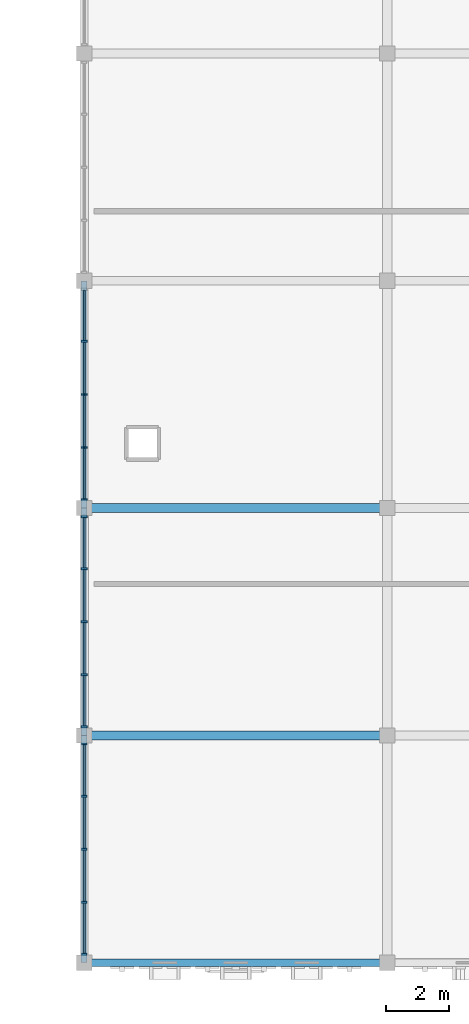
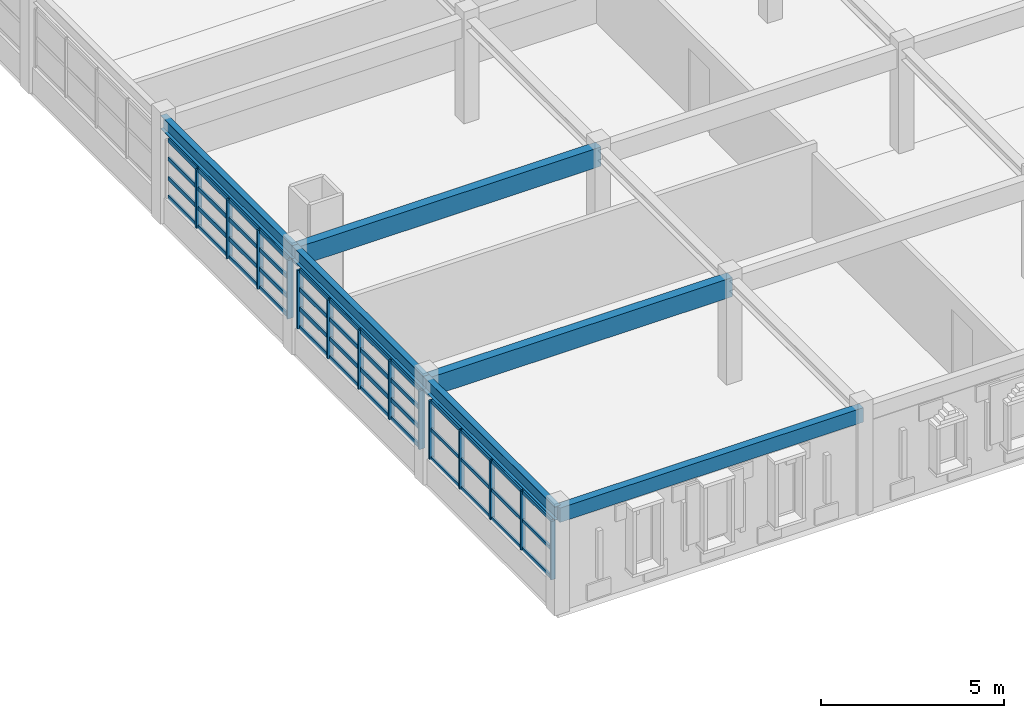
# One storey, part 4 of 53: 58 members, 6 beams, 3 elements without a shape of their own.
"""IFC4 building model written with IfcOpenShell, lengths in metres."""

import ifcopenshell
import ifcopenshell.guid

model = None  # the IFC model being written
_history = None  # IfcOwnerHistory: only IFC2X3 demands one
_inside = {}  # id of a spatial element -> (the spatial element, [elements in it])
_under = {}  # id of a project, library or spatial element -> (it, [spatial elements below it])
_declared = {}  # id of a project -> (the project, [libraries it declares])
_typed = {}  # id of a type object -> (the type object, [elements of that type])
_made_of = {}  # id of a material, layer set ... -> (it, [elements and type objects made of it])


def new_model(schema):
    """Start an empty IFC model of exactly this schema.

    Asked for "IFC4X3", IfcOpenShell would pick the latest addendum, in which some entities
    have other attributes; the version numbers below select the first issue.
    IFC2X3 requires an IfcOwnerHistory on every rooted entity: one is made here for all.
    """
    global model, _history
    if schema == "IFC4X3":
        model = ifcopenshell.file(schema_version=(4, 3, 0, 0))
    else:
        model = ifcopenshell.file(schema=schema)
    _inside.clear()
    _under.clear()
    _declared.clear()
    _typed.clear()
    _made_of.clear()
    _history = None
    if model.schema == "IFC2X3":
        org = make("IfcOrganization", Name="unknown")
        user = make(
            "IfcPersonAndOrganization",
            ThePerson=make("IfcPerson", FamilyName="unknown"),
            TheOrganization=org,
        )
        app = make(
            "IfcApplication",
            ApplicationDeveloper=org,
            Version="unknown",
            ApplicationFullName="unknown",
            ApplicationIdentifier="unknown",
        )
        _history = make(
            "IfcOwnerHistory",
            OwningUser=user,
            OwningApplication=app,
            ChangeAction="ADDED",
            CreationDate=0,
        )
    return model


def make(cls, **values):
    """One entity of the class cls with the attributes given. An attribute that is None is left unset."""
    return model.create_entity(
        cls, **{name: value for name, value in values.items() if value is not None}
    )


def rooted(cls, **values):
    """An entity with a GlobalId (a new one), such as an element, a storey or a relation."""
    return make(cls, GlobalId=ifcopenshell.guid.new(), OwnerHistory=_history, **values)


def si_unit(unit_type, name, prefix=None):
    """IfcSIUnit, for example si_unit("LENGTHUNIT", "METRE", prefix="MILLI")."""
    return make("IfcSIUnit", UnitType=unit_type, Prefix=prefix, Name=name)


def assignment(units):
    """IfcUnitAssignment: the units of a project."""
    return None if units is None else make("IfcUnitAssignment", Units=units)


def point(xyz):
    """IfcCartesianPoint."""
    return None if xyz is None else make("IfcCartesianPoint", Coordinates=xyz)


def direction(xyz):
    """IfcDirection."""
    return None if xyz is None else make("IfcDirection", DirectionRatios=xyz)


def frame(location, z_axis=None, x_axis=None):
    """IfcAxis2Placement3D, a coordinate frame: its origin and axes. An axis left out is left unset."""
    return make(
        "IfcAxis2Placement3D",
        Location=point(location),
        Axis=direction(z_axis),
        RefDirection=direction(x_axis),
    )


def frame_2d(location, x_axis=None):
    """IfcAxis2Placement2D, a coordinate frame in the plane: its origin and x axis."""
    return make(
        "IfcAxis2Placement2D", Location=point(location), RefDirection=direction(x_axis)
    )


def origin():
    """The frame at (0, 0, 0) with its axes left unset."""
    return frame((0.0, 0.0, 0.0))


def origin_2d():
    """The frame at (0, 0) in the plane with its x axis left unset."""
    return frame_2d((0.0, 0.0))


def place(relative_to, where):
    """IfcLocalPlacement: puts the frame where relative to a parent placement (None: the world)."""
    return make(
        "IfcLocalPlacement", PlacementRelTo=relative_to, RelativePlacement=where
    )


def context(
    kind, dimensions, precision=None, world=None, true_north=None, identifier=None
):
    """IfcGeometricRepresentationContext, for example the 3D "Model" context."""
    return make(
        "IfcGeometricRepresentationContext",
        ContextIdentifier=identifier,
        ContextType=kind,
        CoordinateSpaceDimension=dimensions,
        Precision=precision,
        WorldCoordinateSystem=world,
        TrueNorth=true_north,
    )


def subcontext(parent, identifier, kind, view, scale=None):
    """IfcGeometricRepresentationSubContext, for example "Body" below "Model"."""
    return make(
        "IfcGeometricRepresentationSubContext",
        ContextIdentifier=identifier,
        ContextType=kind,
        ParentContext=parent,
        TargetScale=scale,
        TargetView=view,
    )


def project(units=None, contexts=None):
    """IfcProject with its units and contexts."""
    return rooted(
        "IfcProject",
        Name="project",
        RepresentationContexts=contexts,
        UnitsInContext=assignment(units),
    )


def spatial(cls, under=None, at=None, **own):
    """A site, building, storey or space (cls), placed at a placement, below another one or the project."""
    s = rooted(cls, ObjectPlacement=at, **own)
    if under is not None:
        _under.setdefault(under.id(), (under, []))[1].append(s)
    return s


def profile(cls, at=None, kind="AREA", **sizes):
    """A parametric profile (cls). Its sizes go by their IFC names, for example OverallWidth=200.0."""
    return make(cls, ProfileType=kind, Position=at, **sizes)


def rectangle(**sizes):
    """IfcRectangleProfileDef."""
    return profile("IfcRectangleProfileDef", **sizes)


def i_section(**sizes):
    """IfcIShapeProfileDef."""
    return profile("IfcIShapeProfileDef", **sizes)


def extrude(swept, where, along, depth):
    """IfcExtrudedAreaSolid: the profile swept, set in the frame where, extruded along a direction by depth."""
    return make(
        "IfcExtrudedAreaSolid",
        SweptArea=swept,
        Position=where,
        ExtrudedDirection=direction(along),
        Depth=depth,
    )


def shape(context_of_items, identifier, shape_type, items):
    """IfcShapeRepresentation: the items that make up one representation, for example the "Body"."""
    return make(
        "IfcShapeRepresentation",
        ContextOfItems=context_of_items,
        RepresentationIdentifier=identifier,
        RepresentationType=shape_type,
        Items=items,
    )


def material(Name=None, Category=None):
    """IfcMaterial."""
    return make("IfcMaterial", Name=Name, Category=Category)


def material_profile(
    of_material, cross_section, Name=None, Category=None, Priority=None
):
    """IfcMaterialProfile: a cross section and its material."""
    return make(
        "IfcMaterialProfile",
        Name=Name,
        Material=of_material,
        Profile=cross_section,
        Priority=Priority,
        Category=Category,
    )


def profile_set(profiles, Name=None, composite=None):
    """IfcMaterialProfileSet."""
    return make(
        "IfcMaterialProfileSet",
        Name=Name,
        MaterialProfiles=profiles,
        CompositeProfile=composite,
    )


def made_of(thing, what):
    """Note that an element or type object is made of a material, layer set ...; save() writes the relation."""
    if what is not None:
        _made_of.setdefault(what.id(), (what, []))[1].append(thing)
    return thing


def type_object(cls, material=None, **own):
    """A type object (cls), such as IfcWallType, which elements share."""
    return made_of(rooted(cls, **own), material)


def element(
    cls,
    number,
    at=None,
    inside=None,
    cuts=None,
    type_object=None,
    material=None,
    context=None,
    identifier="Body",
    shape_type=None,
    held_by="IfcProductDefinitionShape",
    body=None,
    shapes=None,
    **own,
):
    """One element of the class cls, such as IfcWall. Its Tag is "e" and its number.

    at: its placement. inside: the storey or other place that contains it. cuts: it is an
    opening in that element (IfcRelVoidsElement). A single representation is given by context,
    identifier, shape_type and body (its items); several are given by shapes. held_by: the class
    of the entity that holds the representations. save() writes the other relations.
    """
    e = rooted(cls, Tag="e%d" % number, ObjectPlacement=at, **own)
    if body is not None:
        shapes = [shape(context, identifier, shape_type, body)]
    if shapes is not None:
        e.Representation = make(held_by, Representations=shapes)
    if inside is not None:
        _inside.setdefault(inside.id(), (inside, []))[1].append(e)
    if cuts is not None:
        rooted(
            "IfcRelVoidsElement", RelatingBuildingElement=cuts, RelatedOpeningElement=e
        )
    if type_object is not None:
        _typed.setdefault(type_object.id(), (type_object, []))[1].append(e)
    return made_of(e, material)


def aggregate(whole, parts):
    """IfcRelAggregates: a whole, such as a stair, and the parts it consists of."""
    return rooted("IfcRelAggregates", RelatingObject=whole, RelatedObjects=parts)


def save(model, path):
    """Write the relations noted so far, then the file.

    IfcRelAggregates (storeys below a building ...), IfcRelContainedInSpatialStructure (elements
    in a storey), IfcRelDefinesByType, IfcRelAssociatesMaterial and IfcRelDeclares: one each for
    every whole, place, type object, material and project.
    """
    for whole, parts in _under.values():
        aggregate(whole, parts)
    for where, things in _inside.values():
        rooted(
            "IfcRelContainedInSpatialStructure",
            RelatedElements=things,
            RelatingStructure=where,
        )
    for kind, things in _typed.values():
        rooted("IfcRelDefinesByType", RelatedObjects=things, RelatingType=kind)
    for what, things in _made_of.values():
        rooted("IfcRelAssociatesMaterial", RelatedObjects=things, RelatingMaterial=what)
    for by, libraries in _declared.values():
        rooted("IfcRelDeclares", RelatingContext=by, RelatedDefinitions=libraries)
    model.write(path)


model = new_model("IFC4")

# Units and contexts
model_context = context("Model", 3, precision=1e-05, world=origin(), true_north=direction((0.0, 1.0)))
body_context = subcontext(model_context, "Body", "Model", "MODEL_VIEW")
ifc_project = project(units=[si_unit("LENGTHUNIT", "METRE"), si_unit("AREAUNIT", "SQUARE_METRE"), si_unit("VOLUMEUNIT", "CUBIC_METRE"), si_unit("PLANEANGLEUNIT", "RADIAN"), si_unit("MASSUNIT", "GRAM", prefix="KILO")], contexts=[model_context])

# Site, building, storey
site_placement = place(None, origin())
site = spatial("IfcSite", under=ifc_project, at=site_placement, CompositionType="ELEMENT")
building_placement = place(site_placement, origin())
building = spatial("IfcBuilding", under=site, at=building_placement, Name="Nzembalo Square Collegiate School", CompositionType="ELEMENT")
storey_placement = place(building_placement, frame((0.0, 0.0, 13.60009765625)))
storey = spatial("IfcBuildingStorey", under=building, at=storey_placement, Name="L03", CompositionType="ELEMENT", Elevation=13.60009765625)

# Beams
ifc_material_1 = material(Name="Glulam GL32h", Category="wood")
ifc_material_profile_1 = material_profile(ifc_material_1, rectangle(XDim=0.280029296875, YDim=0.639892578125, at=origin_2d()), Name="GL32h 280x640")
ifc_profile_set_1 = profile_set([ifc_material_profile_1], Name="Glulam GL32h")
beam_type_1 = type_object("IfcBeamType", Name="B04", PredefinedType="BEAM", material=ifc_profile_set_1)
for number, where, z_axis, x_axis, name in (
    (1, (130.800048828125, 15.60009765625, 3.135009765625), (1.0, 0.0, 0.0), (0.0, 1.0, 0.0), "Beam B04 L03"),
    (2, (130.800048828125, 22.800048828125, 3.135009765625), (1.0, 0.0, 0.0), (0.0, 1.0, 0.0), "Beam B04 L03"),
):
    element("IfcBeam", number, at=place(storey_placement, frame(where, z_axis=z_axis, x_axis=x_axis)), inside=storey, type_object=beam_type_1, Name=name, PredefinedType="BEAM", context=body_context, shape_type="SweptSolid", body=[
        extrude(rectangle(XDim=0.280029296875, YDim=0.639892578125, at=origin_2d()), origin(), (0.0, 0.0, 1.0), 9.599853515625),
    ])
ifc_material_2 = material(Name="Steel S355", Category="steel")
ifc_material_profile_2 = material_profile(ifc_material_2, i_section(OverallWidth=0.18994140625, OverallDepth=0.449951171875, WebThickness=0.009521484375, FlangeThickness=0.0146484375, at=origin_2d()), Name="IPE 450")
ifc_profile_set_2 = profile_set([ifc_material_profile_2], Name="Steel S355")
beam_type_2 = type_object("IfcBeamType", Name="B09", PredefinedType="BEAM", material=ifc_profile_set_2)
beam_1_placement = place(storey_placement, frame((130.800048828125, 8.39990234375, 3.22998046875), z_axis=(0.0, 1.0, 0.0), x_axis=(-1.0, 0.0, 0.0)))
element("IfcBeam", 3, at=beam_1_placement, inside=storey, type_object=beam_type_2, Name="Beam B09 L03", PredefinedType="BEAM", context=body_context, shape_type="SweptSolid", body=[
    extrude(i_section(OverallWidth=0.18994140625, OverallDepth=0.449951171875, WebThickness=0.009521484375, FlangeThickness=0.0146484375, at=origin_2d()), origin(), (0.0, 0.0, 1.0), 7.2001953125),
])
for number, where, z_axis, x_axis, name in (
    (4, (130.800048828125, 15.60009765625, 3.22998046875), (0.0, 1.0, 0.0), (-1.0, 0.0, 0.0), "Beam B09 L03"),
    (5, (130.800048828125, 22.800048828125, 3.22998046875), (0.0, 1.0, 0.0), (-1.0, 0.0, 0.0), "Beam B09 L03"),
):
    element("IfcBeam", number, at=place(storey_placement, frame(where, z_axis=z_axis, x_axis=x_axis)), inside=storey, type_object=beam_type_2, Name=name, PredefinedType="BEAM", context=body_context, shape_type="SweptSolid", body=[
        extrude(i_section(OverallWidth=0.18994140625, OverallDepth=0.449951171875, WebThickness=0.009521484375, FlangeThickness=0.0146484375, at=origin_2d()), origin(), (0.0, 0.0, 1.0), 7.199951171875),
    ])
ifc_material_3 = material(Name="Glulam GL28h", Category="wood")
ifc_material_profile_3 = material_profile(ifc_material_3, rectangle(XDim=0.239990234375, YDim=0.47998046875, at=origin_2d()), Name="GL28h 240x480")
ifc_profile_set_3 = profile_set([ifc_material_profile_3], Name="Glulam GL28h")
beam_type_3 = type_object("IfcBeamType", Name="SP02", PredefinedType="SPANDREL", material=ifc_profile_set_3)
beam_2_placement = place(storey_placement, frame((130.800048828125, 8.39990234375, 3.21484375), z_axis=(1.0, 0.0, 0.0), x_axis=(0.0, 1.0, 0.0)))
element("IfcBeam", 6, at=beam_2_placement, inside=storey, type_object=beam_type_3, Name="Beam SP02 L03", PredefinedType="SPANDREL", context=body_context, shape_type="SweptSolid", body=[
    extrude(rectangle(XDim=0.239990234375, YDim=0.47998046875, at=origin_2d()), origin(), (0.0, 0.0, 1.0), 9.599853515625),
])

# Curtain wall, members
ifc_material_4 = material(Name="Aluminium 6060-T66", Category="aluminium")
curtain_wall_type_1 = type_object("IfcCurtainWallType", Name="CW-05", PredefinedType="USERDEFINED", material=ifc_material_4)
curtain_wall_1_placement = place(storey_placement, origin())
curtain_wall_1 = element("IfcCurtainWall", 7, at=curtain_wall_1_placement, inside=storey, type_object=curtain_wall_type_1, Name="Curtain wall CW-05 cw:L03:116", ObjectType="LANCET", PredefinedType="USERDEFINED")
ifc_material_5 = material(Name="Aluminium 6060-T66", Category="aluminium")
ifc_material_profile_4 = material_profile(ifc_material_5, rectangle(XDim=0.06005859375, YDim=0.179931640625, at=origin_2d()), Name="ALU M60x180")
ifc_profile_set_4 = profile_set([ifc_material_profile_4], Name="Aluminium 6060-T66")
member_type_1 = type_object("IfcMemberType", Name="ML01", PredefinedType="MULLION", material=ifc_profile_set_4)
member_1_placement = place(storey_placement, frame((130.800048828125, 15.8720703125, 0.849853515625), z_axis=(0.0, 0.0, 1.0), x_axis=(0.0, 1.0, 0.0)))
member_1 = element("IfcMember", 8, at=member_1_placement, type_object=member_type_1, Name="ML01 mullion 1", PredefinedType="MULLION", context=body_context, shape_type="SweptSolid", body=[
    extrude(rectangle(XDim=0.06005859375, YDim=0.179931640625, at=origin_2d()), origin(), (0.0, 0.0, 1.0), 1.958984375),
])
member_2_placement = place(storey_placement, frame((130.800048828125, 17.52099609375, 0.849853515625), z_axis=(0.0, 0.0, 1.0), x_axis=(0.0, 1.0, 0.0)))
member_2 = element("IfcMember", 9, at=member_2_placement, type_object=member_type_1, Name="ML01 mullion 2", PredefinedType="MULLION", context=body_context, shape_type="SweptSolid", body=[
    extrude(rectangle(XDim=0.06005859375, YDim=0.179931640625, at=origin_2d()), origin(), (0.0, 0.0, 1.0), 1.958984375),
])
member_3_placement = place(storey_placement, frame((130.800048828125, 19.199951171875, 0.849853515625), z_axis=(0.0, 0.0, 1.0), x_axis=(0.0, 1.0, 0.0)))
member_3 = element("IfcMember", 10, at=member_3_placement, type_object=member_type_1, Name="ML01 mullion 3", PredefinedType="MULLION", context=body_context, shape_type="SweptSolid", body=[
    extrude(rectangle(XDim=0.06005859375, YDim=0.179931640625, at=origin_2d()), origin(), (0.0, 0.0, 1.0), 1.958984375),
])
member_4_placement = place(storey_placement, frame((130.800048828125, 20.87890625, 0.849853515625), z_axis=(0.0, 0.0, 1.0), x_axis=(0.0, 1.0, 0.0)))
member_4 = element("IfcMember", 11, at=member_4_placement, type_object=member_type_1, Name="ML01 mullion 4", PredefinedType="MULLION", context=body_context, shape_type="SweptSolid", body=[
    extrude(rectangle(XDim=0.06005859375, YDim=0.179931640625, at=origin_2d()), origin(), (0.0, 0.0, 1.0), 1.958984375),
])
member_5_placement = place(storey_placement, frame((130.800048828125, 22.528076171875, 0.849853515625), z_axis=(0.0, 0.0, 1.0), x_axis=(0.0, 1.0, 0.0)))
member_5 = element("IfcMember", 12, at=member_5_placement, type_object=member_type_1, Name="ML01 mullion 5", PredefinedType="MULLION", context=body_context, shape_type="SweptSolid", body=[
    extrude(rectangle(XDim=0.06005859375, YDim=0.179931640625, at=origin_2d()), origin(), (0.0, 0.0, 1.0), 1.958984375),
])

ifc_material_6 = material(Name="Aluminium 6060-T66", Category="aluminium")
curtain_wall_type_2 = type_object("IfcCurtainWallType", Name="CW-06", PredefinedType="USERDEFINED", material=ifc_material_6)
curtain_wall_2_placement = place(storey_placement, origin())
curtain_wall_2 = element("IfcCurtainWall", 13, at=curtain_wall_2_placement, inside=storey, type_object=curtain_wall_type_2, Name="Curtain wall CW-06 cw:L03:117", ObjectType="LANCET", PredefinedType="USERDEFINED")
member_6_placement = place(storey_placement, frame((130.800048828125, 23.072021484375, 0.849853515625), z_axis=(0.0, 0.0, 1.0), x_axis=(0.0, 1.0, 0.0)))
member_6 = element("IfcMember", 14, at=member_6_placement, type_object=member_type_1, Name="ML01 mullion 1", PredefinedType="MULLION", context=body_context, shape_type="SweptSolid", body=[
    extrude(rectangle(XDim=0.06005859375, YDim=0.179931640625, at=origin_2d()), origin(), (0.0, 0.0, 1.0), 1.958984375),
])
member_7_placement = place(storey_placement, frame((130.800048828125, 24.720947265625, 0.849853515625), z_axis=(0.0, 0.0, 1.0), x_axis=(0.0, 1.0, 0.0)))
member_7 = element("IfcMember", 15, at=member_7_placement, type_object=member_type_1, Name="ML01 mullion 2", PredefinedType="MULLION", context=body_context, shape_type="SweptSolid", body=[
    extrude(rectangle(XDim=0.06005859375, YDim=0.179931640625, at=origin_2d()), origin(), (0.0, 0.0, 1.0), 1.958984375),
])
member_8_placement = place(storey_placement, frame((130.800048828125, 26.39990234375, 0.849853515625), z_axis=(0.0, 0.0, 1.0), x_axis=(0.0, 1.0, 0.0)))
member_8 = element("IfcMember", 16, at=member_8_placement, type_object=member_type_1, Name="ML01 mullion 3", PredefinedType="MULLION", context=body_context, shape_type="SweptSolid", body=[
    extrude(rectangle(XDim=0.06005859375, YDim=0.179931640625, at=origin_2d()), origin(), (0.0, 0.0, 1.0), 1.958984375),
])
member_9_placement = place(storey_placement, frame((130.800048828125, 28.0791015625, 0.849853515625), z_axis=(0.0, 0.0, 1.0), x_axis=(0.0, 1.0, 0.0)))
member_9 = element("IfcMember", 17, at=member_9_placement, type_object=member_type_1, Name="ML01 mullion 4", PredefinedType="MULLION", context=body_context, shape_type="SweptSolid", body=[
    extrude(rectangle(XDim=0.06005859375, YDim=0.179931640625, at=origin_2d()), origin(), (0.0, 0.0, 1.0), 1.958984375),
])

ifc_material_7 = material(Name="Aluminium 6060-T66", Category="aluminium")
curtain_wall_type_3 = type_object("IfcCurtainWallType", Name="CW-04", PredefinedType="USERDEFINED", material=ifc_material_7)
curtain_wall_3_placement = place(storey_placement, origin())
curtain_wall_3 = element("IfcCurtainWall", 18, at=curtain_wall_3_placement, inside=storey, type_object=curtain_wall_type_3, Name="Curtain wall CW-04 cw:L03:115", ObjectType="UNITISED", PredefinedType="USERDEFINED")
ifc_material_8 = material(Name="Aluminium 6060-T66", Category="aluminium")
ifc_material_profile_5 = material_profile(ifc_material_8, rectangle(XDim=0.06005859375, YDim=0.14990234375, at=origin_2d()), Name="ALU M60x150")
ifc_profile_set_5 = profile_set([ifc_material_profile_5], Name="Aluminium 6060-T66")
member_type_2 = type_object("IfcMemberType", Name="ML02", PredefinedType="MULLION", material=ifc_profile_set_5)
member_10_placement = place(storey_placement, frame((130.800048828125, 8.672119140625, 0.849853515625), z_axis=(0.0, 0.0, 1.0), x_axis=(0.0, 1.0, 0.0)))
member_10 = element("IfcMember", 19, at=member_10_placement, type_object=member_type_2, Name="ML02 mullion 1", PredefinedType="MULLION", context=body_context, shape_type="SweptSolid", body=[
    extrude(rectangle(XDim=0.06005859375, YDim=0.14990234375, at=origin_2d()), origin(), (0.0, 0.0, 1.0), 1.958984375),
])
member_11_placement = place(storey_placement, frame((130.800048828125, 10.321044921875, 0.849853515625), z_axis=(0.0, 0.0, 1.0), x_axis=(0.0, 1.0, 0.0)))
member_11 = element("IfcMember", 20, at=member_11_placement, type_object=member_type_2, Name="ML02 mullion 2", PredefinedType="MULLION", context=body_context, shape_type="SweptSolid", body=[
    extrude(rectangle(XDim=0.06005859375, YDim=0.14990234375, at=origin_2d()), origin(), (0.0, 0.0, 1.0), 1.958984375),
])
member_12_placement = place(storey_placement, frame((130.800048828125, 12.0, 0.849853515625), z_axis=(0.0, 0.0, 1.0), x_axis=(0.0, 1.0, 0.0)))
member_12 = element("IfcMember", 21, at=member_12_placement, type_object=member_type_2, Name="ML02 mullion 3", PredefinedType="MULLION", context=body_context, shape_type="SweptSolid", body=[
    extrude(rectangle(XDim=0.06005859375, YDim=0.14990234375, at=origin_2d()), origin(), (0.0, 0.0, 1.0), 1.958984375),
])
member_13_placement = place(storey_placement, frame((130.800048828125, 13.678955078125, 0.849853515625), z_axis=(0.0, 0.0, 1.0), x_axis=(0.0, 1.0, 0.0)))
member_13 = element("IfcMember", 22, at=member_13_placement, type_object=member_type_2, Name="ML02 mullion 4", PredefinedType="MULLION", context=body_context, shape_type="SweptSolid", body=[
    extrude(rectangle(XDim=0.06005859375, YDim=0.14990234375, at=origin_2d()), origin(), (0.0, 0.0, 1.0), 1.958984375),
])
member_14_placement = place(storey_placement, frame((130.800048828125, 15.327880859375, 0.849853515625), z_axis=(0.0, 0.0, 1.0), x_axis=(0.0, 1.0, 0.0)))
member_14 = element("IfcMember", 23, at=member_14_placement, type_object=member_type_2, Name="ML02 mullion 5", PredefinedType="MULLION", context=body_context, shape_type="SweptSolid", body=[
    extrude(rectangle(XDim=0.06005859375, YDim=0.14990234375, at=origin_2d()), origin(), (0.0, 0.0, 1.0), 1.958984375),
])

# Member
ifc_material_9 = material(Name="Aluminium 6060-T66", Category="aluminium")
ifc_material_profile_6 = material_profile(ifc_material_9, rectangle(XDim=0.06005859375, YDim=0.139892578125, at=origin_2d()), Name="ALU T60x140")
ifc_profile_set_6 = profile_set([ifc_material_profile_6], Name="Aluminium 6060-T66")
member_type_3 = type_object("IfcMemberType", Name="TR01", PredefinedType="USERDEFINED", material=ifc_profile_set_6)
member_15_placement = place(storey_placement, frame((130.800048828125, 15.902099609375, 0.8798828125), z_axis=(0.0, 1.0, 0.0), x_axis=(-1.0, 0.0, 0.0)))
member_15 = element("IfcMember", 24, at=member_15_placement, type_object=member_type_3, Name="TR01 transom 1-1", ObjectType="TRANSOM", PredefinedType="USERDEFINED", context=body_context, shape_type="SweptSolid", body=[
    extrude(rectangle(XDim=0.06005859375, YDim=0.139892578125, at=origin_2d()), origin(), (0.0, 0.0, 1.0), 1.5888671875),
])

member_16_placement = place(storey_placement, frame((130.800048828125, 17.551025390625, 0.8798828125), z_axis=(0.0, 1.0, 0.0), x_axis=(-1.0, 0.0, 0.0)))
member_16 = element("IfcMember", 25, at=member_16_placement, type_object=member_type_3, Name="TR01 transom 1-2", ObjectType="TRANSOM", PredefinedType="USERDEFINED", context=body_context, shape_type="SweptSolid", body=[
    extrude(rectangle(XDim=0.06005859375, YDim=0.139892578125, at=origin_2d()), origin(), (0.0, 0.0, 1.0), 1.618896484375),
])

member_17_placement = place(storey_placement, frame((130.800048828125, 19.22998046875, 0.8798828125), z_axis=(0.0, 1.0, 0.0), x_axis=(-1.0, 0.0, 0.0)))
member_17 = element("IfcMember", 26, at=member_17_placement, type_object=member_type_3, Name="TR01 transom 1-3", ObjectType="TRANSOM", PredefinedType="USERDEFINED", context=body_context, shape_type="SweptSolid", body=[
    extrude(rectangle(XDim=0.06005859375, YDim=0.139892578125, at=origin_2d()), origin(), (0.0, 0.0, 1.0), 1.619140625),
])

member_18_placement = place(storey_placement, frame((130.800048828125, 20.908935546875, 0.8798828125), z_axis=(0.0, 1.0, 0.0), x_axis=(-1.0, 0.0, 0.0)))
member_18 = element("IfcMember", 27, at=member_18_placement, type_object=member_type_3, Name="TR01 transom 1-4", ObjectType="TRANSOM", PredefinedType="USERDEFINED", context=body_context, shape_type="SweptSolid", body=[
    extrude(rectangle(XDim=0.06005859375, YDim=0.139892578125, at=origin_2d()), origin(), (0.0, 0.0, 1.0), 1.589111328125),
])

member_19_placement = place(storey_placement, frame((130.800048828125, 15.902099609375, 1.5029296875), z_axis=(0.0, 1.0, 0.0), x_axis=(-1.0, 0.0, 0.0)))
member_19 = element("IfcMember", 28, at=member_19_placement, type_object=member_type_3, Name="TR01 transom 2-1", ObjectType="TRANSOM", PredefinedType="USERDEFINED", context=body_context, shape_type="SweptSolid", body=[
    extrude(rectangle(XDim=0.06005859375, YDim=0.139892578125, at=origin_2d()), origin(), (0.0, 0.0, 1.0), 1.5888671875),
])

member_20_placement = place(storey_placement, frame((130.800048828125, 17.551025390625, 1.5029296875), z_axis=(0.0, 1.0, 0.0), x_axis=(-1.0, 0.0, 0.0)))
member_20 = element("IfcMember", 29, at=member_20_placement, type_object=member_type_3, Name="TR01 transom 2-2", ObjectType="TRANSOM", PredefinedType="USERDEFINED", context=body_context, shape_type="SweptSolid", body=[
    extrude(rectangle(XDim=0.06005859375, YDim=0.139892578125, at=origin_2d()), origin(), (0.0, 0.0, 1.0), 1.618896484375),
])

member_21_placement = place(storey_placement, frame((130.800048828125, 19.22998046875, 1.5029296875), z_axis=(0.0, 1.0, 0.0), x_axis=(-1.0, 0.0, 0.0)))
member_21 = element("IfcMember", 30, at=member_21_placement, type_object=member_type_3, Name="TR01 transom 2-3", ObjectType="TRANSOM", PredefinedType="USERDEFINED", context=body_context, shape_type="SweptSolid", body=[
    extrude(rectangle(XDim=0.06005859375, YDim=0.139892578125, at=origin_2d()), origin(), (0.0, 0.0, 1.0), 1.619140625),
])

member_22_placement = place(storey_placement, frame((130.800048828125, 20.908935546875, 1.5029296875), z_axis=(0.0, 1.0, 0.0), x_axis=(-1.0, 0.0, 0.0)))
member_22 = element("IfcMember", 31, at=member_22_placement, type_object=member_type_3, Name="TR01 transom 2-4", ObjectType="TRANSOM", PredefinedType="USERDEFINED", context=body_context, shape_type="SweptSolid", body=[
    extrude(rectangle(XDim=0.06005859375, YDim=0.139892578125, at=origin_2d()), origin(), (0.0, 0.0, 1.0), 1.589111328125),
])

member_23_placement = place(storey_placement, frame((130.800048828125, 15.902099609375, 2.156005859375), z_axis=(0.0, 1.0, 0.0), x_axis=(-1.0, 0.0, 0.0)))
member_23 = element("IfcMember", 32, at=member_23_placement, type_object=member_type_3, Name="TR01 transom 3-1", ObjectType="TRANSOM", PredefinedType="USERDEFINED", context=body_context, shape_type="SweptSolid", body=[
    extrude(rectangle(XDim=0.06005859375, YDim=0.139892578125, at=origin_2d()), origin(), (0.0, 0.0, 1.0), 1.5888671875),
])

member_24_placement = place(storey_placement, frame((130.800048828125, 17.551025390625, 2.156005859375), z_axis=(0.0, 1.0, 0.0), x_axis=(-1.0, 0.0, 0.0)))
member_24 = element("IfcMember", 33, at=member_24_placement, type_object=member_type_3, Name="TR01 transom 3-2", ObjectType="TRANSOM", PredefinedType="USERDEFINED", context=body_context, shape_type="SweptSolid", body=[
    extrude(rectangle(XDim=0.06005859375, YDim=0.139892578125, at=origin_2d()), origin(), (0.0, 0.0, 1.0), 1.618896484375),
])

member_25_placement = place(storey_placement, frame((130.800048828125, 19.22998046875, 2.156005859375), z_axis=(0.0, 1.0, 0.0), x_axis=(-1.0, 0.0, 0.0)))
member_25 = element("IfcMember", 34, at=member_25_placement, type_object=member_type_3, Name="TR01 transom 3-3", ObjectType="TRANSOM", PredefinedType="USERDEFINED", context=body_context, shape_type="SweptSolid", body=[
    extrude(rectangle(XDim=0.06005859375, YDim=0.139892578125, at=origin_2d()), origin(), (0.0, 0.0, 1.0), 1.619140625),
])

member_26_placement = place(storey_placement, frame((130.800048828125, 20.908935546875, 2.156005859375), z_axis=(0.0, 1.0, 0.0), x_axis=(-1.0, 0.0, 0.0)))
member_26 = element("IfcMember", 35, at=member_26_placement, type_object=member_type_3, Name="TR01 transom 3-4", ObjectType="TRANSOM", PredefinedType="USERDEFINED", context=body_context, shape_type="SweptSolid", body=[
    extrude(rectangle(XDim=0.06005859375, YDim=0.139892578125, at=origin_2d()), origin(), (0.0, 0.0, 1.0), 1.589111328125),
])

member_27_placement = place(storey_placement, frame((130.800048828125, 15.902099609375, 2.77880859375), z_axis=(0.0, 1.0, 0.0), x_axis=(-1.0, 0.0, 0.0)))
member_27 = element("IfcMember", 36, at=member_27_placement, type_object=member_type_3, Name="TR01 transom 4-1", ObjectType="TRANSOM", PredefinedType="USERDEFINED", context=body_context, shape_type="SweptSolid", body=[
    extrude(rectangle(XDim=0.06005859375, YDim=0.139892578125, at=origin_2d()), origin(), (0.0, 0.0, 1.0), 1.5888671875),
])

member_28_placement = place(storey_placement, frame((130.800048828125, 17.551025390625, 2.77880859375), z_axis=(0.0, 1.0, 0.0), x_axis=(-1.0, 0.0, 0.0)))
member_28 = element("IfcMember", 37, at=member_28_placement, type_object=member_type_3, Name="TR01 transom 4-2", ObjectType="TRANSOM", PredefinedType="USERDEFINED", context=body_context, shape_type="SweptSolid", body=[
    extrude(rectangle(XDim=0.06005859375, YDim=0.139892578125, at=origin_2d()), origin(), (0.0, 0.0, 1.0), 1.618896484375),
])

member_29_placement = place(storey_placement, frame((130.800048828125, 19.22998046875, 2.77880859375), z_axis=(0.0, 1.0, 0.0), x_axis=(-1.0, 0.0, 0.0)))
member_29 = element("IfcMember", 38, at=member_29_placement, type_object=member_type_3, Name="TR01 transom 4-3", ObjectType="TRANSOM", PredefinedType="USERDEFINED", context=body_context, shape_type="SweptSolid", body=[
    extrude(rectangle(XDim=0.06005859375, YDim=0.139892578125, at=origin_2d()), origin(), (0.0, 0.0, 1.0), 1.619140625),
])

member_30_placement = place(storey_placement, frame((130.800048828125, 20.908935546875, 2.77880859375), z_axis=(0.0, 1.0, 0.0), x_axis=(-1.0, 0.0, 0.0)))
member_30 = element("IfcMember", 39, at=member_30_placement, type_object=member_type_3, Name="TR01 transom 4-4", ObjectType="TRANSOM", PredefinedType="USERDEFINED", context=body_context, shape_type="SweptSolid", body=[
    extrude(rectangle(XDim=0.06005859375, YDim=0.139892578125, at=origin_2d()), origin(), (0.0, 0.0, 1.0), 1.589111328125),
])

aggregate(curtain_wall_1, [member_1, member_2, member_3, member_4, member_5, member_15, member_16, member_17, member_18, member_19, member_20, member_21, member_22, member_23, member_24, member_25, member_26, member_27, member_28, member_29, member_30])

member_31_placement = place(storey_placement, frame((130.800048828125, 23.10205078125, 0.8798828125), z_axis=(0.0, 1.0, 0.0), x_axis=(-1.0, 0.0, 0.0)))
member_31 = element("IfcMember", 40, at=member_31_placement, type_object=member_type_3, Name="TR01 transom 1-1", ObjectType="TRANSOM", PredefinedType="USERDEFINED", context=body_context, shape_type="SweptSolid", body=[
    extrude(rectangle(XDim=0.06005859375, YDim=0.139892578125, at=origin_2d()), origin(), (0.0, 0.0, 1.0), 1.5888671875),
])

member_32_placement = place(storey_placement, frame((130.800048828125, 24.7509765625, 0.8798828125), z_axis=(0.0, 1.0, 0.0), x_axis=(-1.0, 0.0, 0.0)))
member_32 = element("IfcMember", 41, at=member_32_placement, type_object=member_type_3, Name="TR01 transom 1-2", ObjectType="TRANSOM", PredefinedType="USERDEFINED", context=body_context, shape_type="SweptSolid", body=[
    extrude(rectangle(XDim=0.06005859375, YDim=0.139892578125, at=origin_2d()), origin(), (0.0, 0.0, 1.0), 1.619140625),
])

member_33_placement = place(storey_placement, frame((130.800048828125, 26.429931640625, 0.8798828125), z_axis=(0.0, 1.0, 0.0), x_axis=(-1.0, 0.0, 0.0)))
member_33 = element("IfcMember", 42, at=member_33_placement, type_object=member_type_3, Name="TR01 transom 1-3", ObjectType="TRANSOM", PredefinedType="USERDEFINED", context=body_context, shape_type="SweptSolid", body=[
    extrude(rectangle(XDim=0.06005859375, YDim=0.139892578125, at=origin_2d()), origin(), (0.0, 0.0, 1.0), 1.619140625),
])

member_34_placement = place(storey_placement, frame((130.800048828125, 28.10888671875, 0.8798828125), z_axis=(0.0, 1.0, 0.0), x_axis=(-1.0, 0.0, 0.0)))
member_34 = element("IfcMember", 43, at=member_34_placement, type_object=member_type_3, Name="TR01 transom 1-4", ObjectType="TRANSOM", PredefinedType="USERDEFINED", context=body_context, shape_type="SweptSolid", body=[
    extrude(rectangle(XDim=0.06005859375, YDim=0.139892578125, at=origin_2d()), origin(), (0.0, 0.0, 1.0), 1.589111328125),
])

member_35_placement = place(storey_placement, frame((130.800048828125, 23.10205078125, 1.5029296875), z_axis=(0.0, 1.0, 0.0), x_axis=(-1.0, 0.0, 0.0)))
member_35 = element("IfcMember", 44, at=member_35_placement, type_object=member_type_3, Name="TR01 transom 2-1", ObjectType="TRANSOM", PredefinedType="USERDEFINED", context=body_context, shape_type="SweptSolid", body=[
    extrude(rectangle(XDim=0.06005859375, YDim=0.139892578125, at=origin_2d()), origin(), (0.0, 0.0, 1.0), 1.5888671875),
])

member_36_placement = place(storey_placement, frame((130.800048828125, 24.7509765625, 1.5029296875), z_axis=(0.0, 1.0, 0.0), x_axis=(-1.0, 0.0, 0.0)))
member_36 = element("IfcMember", 45, at=member_36_placement, type_object=member_type_3, Name="TR01 transom 2-2", ObjectType="TRANSOM", PredefinedType="USERDEFINED", context=body_context, shape_type="SweptSolid", body=[
    extrude(rectangle(XDim=0.06005859375, YDim=0.139892578125, at=origin_2d()), origin(), (0.0, 0.0, 1.0), 1.619140625),
])

member_37_placement = place(storey_placement, frame((130.800048828125, 26.429931640625, 1.5029296875), z_axis=(0.0, 1.0, 0.0), x_axis=(-1.0, 0.0, 0.0)))
member_37 = element("IfcMember", 46, at=member_37_placement, type_object=member_type_3, Name="TR01 transom 2-3", ObjectType="TRANSOM", PredefinedType="USERDEFINED", context=body_context, shape_type="SweptSolid", body=[
    extrude(rectangle(XDim=0.06005859375, YDim=0.139892578125, at=origin_2d()), origin(), (0.0, 0.0, 1.0), 1.619140625),
])

member_38_placement = place(storey_placement, frame((130.800048828125, 28.10888671875, 1.5029296875), z_axis=(0.0, 1.0, 0.0), x_axis=(-1.0, 0.0, 0.0)))
member_38 = element("IfcMember", 47, at=member_38_placement, type_object=member_type_3, Name="TR01 transom 2-4", ObjectType="TRANSOM", PredefinedType="USERDEFINED", context=body_context, shape_type="SweptSolid", body=[
    extrude(rectangle(XDim=0.06005859375, YDim=0.139892578125, at=origin_2d()), origin(), (0.0, 0.0, 1.0), 1.589111328125),
])

member_39_placement = place(storey_placement, frame((130.800048828125, 23.10205078125, 2.156005859375), z_axis=(0.0, 1.0, 0.0), x_axis=(-1.0, 0.0, 0.0)))
member_39 = element("IfcMember", 48, at=member_39_placement, type_object=member_type_3, Name="TR01 transom 3-1", ObjectType="TRANSOM", PredefinedType="USERDEFINED", context=body_context, shape_type="SweptSolid", body=[
    extrude(rectangle(XDim=0.06005859375, YDim=0.139892578125, at=origin_2d()), origin(), (0.0, 0.0, 1.0), 1.5888671875),
])

member_40_placement = place(storey_placement, frame((130.800048828125, 24.7509765625, 2.156005859375), z_axis=(0.0, 1.0, 0.0), x_axis=(-1.0, 0.0, 0.0)))
member_40 = element("IfcMember", 49, at=member_40_placement, type_object=member_type_3, Name="TR01 transom 3-2", ObjectType="TRANSOM", PredefinedType="USERDEFINED", context=body_context, shape_type="SweptSolid", body=[
    extrude(rectangle(XDim=0.06005859375, YDim=0.139892578125, at=origin_2d()), origin(), (0.0, 0.0, 1.0), 1.619140625),
])

member_41_placement = place(storey_placement, frame((130.800048828125, 26.429931640625, 2.156005859375), z_axis=(0.0, 1.0, 0.0), x_axis=(-1.0, 0.0, 0.0)))
member_41 = element("IfcMember", 50, at=member_41_placement, type_object=member_type_3, Name="TR01 transom 3-3", ObjectType="TRANSOM", PredefinedType="USERDEFINED", context=body_context, shape_type="SweptSolid", body=[
    extrude(rectangle(XDim=0.06005859375, YDim=0.139892578125, at=origin_2d()), origin(), (0.0, 0.0, 1.0), 1.619140625),
])

member_42_placement = place(storey_placement, frame((130.800048828125, 28.10888671875, 2.156005859375), z_axis=(0.0, 1.0, 0.0), x_axis=(-1.0, 0.0, 0.0)))
member_42 = element("IfcMember", 51, at=member_42_placement, type_object=member_type_3, Name="TR01 transom 3-4", ObjectType="TRANSOM", PredefinedType="USERDEFINED", context=body_context, shape_type="SweptSolid", body=[
    extrude(rectangle(XDim=0.06005859375, YDim=0.139892578125, at=origin_2d()), origin(), (0.0, 0.0, 1.0), 1.589111328125),
])

member_43_placement = place(storey_placement, frame((130.800048828125, 23.10205078125, 2.77880859375), z_axis=(0.0, 1.0, 0.0), x_axis=(-1.0, 0.0, 0.0)))
member_43 = element("IfcMember", 52, at=member_43_placement, type_object=member_type_3, Name="TR01 transom 4-1", ObjectType="TRANSOM", PredefinedType="USERDEFINED", context=body_context, shape_type="SweptSolid", body=[
    extrude(rectangle(XDim=0.06005859375, YDim=0.139892578125, at=origin_2d()), origin(), (0.0, 0.0, 1.0), 1.5888671875),
])

member_44_placement = place(storey_placement, frame((130.800048828125, 24.7509765625, 2.77880859375), z_axis=(0.0, 1.0, 0.0), x_axis=(-1.0, 0.0, 0.0)))
member_44 = element("IfcMember", 53, at=member_44_placement, type_object=member_type_3, Name="TR01 transom 4-2", ObjectType="TRANSOM", PredefinedType="USERDEFINED", context=body_context, shape_type="SweptSolid", body=[
    extrude(rectangle(XDim=0.06005859375, YDim=0.139892578125, at=origin_2d()), origin(), (0.0, 0.0, 1.0), 1.619140625),
])

member_45_placement = place(storey_placement, frame((130.800048828125, 26.429931640625, 2.77880859375), z_axis=(0.0, 1.0, 0.0), x_axis=(-1.0, 0.0, 0.0)))
member_45 = element("IfcMember", 54, at=member_45_placement, type_object=member_type_3, Name="TR01 transom 4-3", ObjectType="TRANSOM", PredefinedType="USERDEFINED", context=body_context, shape_type="SweptSolid", body=[
    extrude(rectangle(XDim=0.06005859375, YDim=0.139892578125, at=origin_2d()), origin(), (0.0, 0.0, 1.0), 1.619140625),
])

member_46_placement = place(storey_placement, frame((130.800048828125, 28.10888671875, 2.77880859375), z_axis=(0.0, 1.0, 0.0), x_axis=(-1.0, 0.0, 0.0)))
member_46 = element("IfcMember", 55, at=member_46_placement, type_object=member_type_3, Name="TR01 transom 4-4", ObjectType="TRANSOM", PredefinedType="USERDEFINED", context=body_context, shape_type="SweptSolid", body=[
    extrude(rectangle(XDim=0.06005859375, YDim=0.139892578125, at=origin_2d()), origin(), (0.0, 0.0, 1.0), 1.589111328125),
])

aggregate(curtain_wall_2, [member_6, member_7, member_8, member_9, member_31, member_32, member_33, member_34, member_35, member_36, member_37, member_38, member_39, member_40, member_41, member_42, member_43, member_44, member_45, member_46])

ifc_material_10 = material(Name="Aluminium 6060-T66", Category="aluminium")
ifc_material_profile_7 = material_profile(ifc_material_10, rectangle(XDim=0.06005859375, YDim=0.110107421875, at=origin_2d()), Name="ALU T60x110")
ifc_profile_set_7 = profile_set([ifc_material_profile_7], Name="Aluminium 6060-T66")
member_type_4 = type_object("IfcMemberType", Name="TR02", PredefinedType="USERDEFINED", material=ifc_profile_set_7)
member_47_placement = place(storey_placement, frame((130.800048828125, 8.701904296875, 0.8798828125), z_axis=(0.0, 1.0, 0.0), x_axis=(-1.0, 0.0, 0.0)))
member_47 = element("IfcMember", 56, at=member_47_placement, type_object=member_type_4, Name="TR02 transom 1-1", ObjectType="TRANSOM", PredefinedType="USERDEFINED", context=body_context, shape_type="SweptSolid", body=[
    extrude(rectangle(XDim=0.06005859375, YDim=0.110107421875, at=origin_2d()), origin(), (0.0, 0.0, 1.0), 1.589111328125),
])

member_48_placement = place(storey_placement, frame((130.800048828125, 10.35107421875, 0.8798828125), z_axis=(0.0, 1.0, 0.0), x_axis=(-1.0, 0.0, 0.0)))
member_48 = element("IfcMember", 57, at=member_48_placement, type_object=member_type_4, Name="TR02 transom 1-2", ObjectType="TRANSOM", PredefinedType="USERDEFINED", context=body_context, shape_type="SweptSolid", body=[
    extrude(rectangle(XDim=0.06005859375, YDim=0.110107421875, at=origin_2d()), origin(), (0.0, 0.0, 1.0), 1.618896484375),
])

member_49_placement = place(storey_placement, frame((130.800048828125, 12.030029296875, 0.8798828125), z_axis=(0.0, 1.0, 0.0), x_axis=(-1.0, 0.0, 0.0)))
member_49 = element("IfcMember", 58, at=member_49_placement, type_object=member_type_4, Name="TR02 transom 1-3", ObjectType="TRANSOM", PredefinedType="USERDEFINED", context=body_context, shape_type="SweptSolid", body=[
    extrude(rectangle(XDim=0.06005859375, YDim=0.110107421875, at=origin_2d()), origin(), (0.0, 0.0, 1.0), 1.618896484375),
])

member_50_placement = place(storey_placement, frame((130.800048828125, 13.708984375, 0.8798828125), z_axis=(0.0, 1.0, 0.0), x_axis=(-1.0, 0.0, 0.0)))
member_50 = element("IfcMember", 59, at=member_50_placement, type_object=member_type_4, Name="TR02 transom 1-4", ObjectType="TRANSOM", PredefinedType="USERDEFINED", context=body_context, shape_type="SweptSolid", body=[
    extrude(rectangle(XDim=0.06005859375, YDim=0.110107421875, at=origin_2d()), origin(), (0.0, 0.0, 1.0), 1.589111328125),
])

member_51_placement = place(storey_placement, frame((130.800048828125, 8.701904296875, 1.829345703125), z_axis=(0.0, 1.0, 0.0), x_axis=(-1.0, 0.0, 0.0)))
member_51 = element("IfcMember", 60, at=member_51_placement, type_object=member_type_4, Name="TR02 transom 2-1", ObjectType="TRANSOM", PredefinedType="USERDEFINED", context=body_context, shape_type="SweptSolid", body=[
    extrude(rectangle(XDim=0.06005859375, YDim=0.110107421875, at=origin_2d()), origin(), (0.0, 0.0, 1.0), 1.589111328125),
])

member_52_placement = place(storey_placement, frame((130.800048828125, 10.35107421875, 1.829345703125), z_axis=(0.0, 1.0, 0.0), x_axis=(-1.0, 0.0, 0.0)))
member_52 = element("IfcMember", 61, at=member_52_placement, type_object=member_type_4, Name="TR02 transom 2-2", ObjectType="TRANSOM", PredefinedType="USERDEFINED", context=body_context, shape_type="SweptSolid", body=[
    extrude(rectangle(XDim=0.06005859375, YDim=0.110107421875, at=origin_2d()), origin(), (0.0, 0.0, 1.0), 1.618896484375),
])

member_53_placement = place(storey_placement, frame((130.800048828125, 12.030029296875, 1.829345703125), z_axis=(0.0, 1.0, 0.0), x_axis=(-1.0, 0.0, 0.0)))
member_53 = element("IfcMember", 62, at=member_53_placement, type_object=member_type_4, Name="TR02 transom 2-3", ObjectType="TRANSOM", PredefinedType="USERDEFINED", context=body_context, shape_type="SweptSolid", body=[
    extrude(rectangle(XDim=0.06005859375, YDim=0.110107421875, at=origin_2d()), origin(), (0.0, 0.0, 1.0), 1.618896484375),
])

member_54_placement = place(storey_placement, frame((130.800048828125, 13.708984375, 1.829345703125), z_axis=(0.0, 1.0, 0.0), x_axis=(-1.0, 0.0, 0.0)))
member_54 = element("IfcMember", 63, at=member_54_placement, type_object=member_type_4, Name="TR02 transom 2-4", ObjectType="TRANSOM", PredefinedType="USERDEFINED", context=body_context, shape_type="SweptSolid", body=[
    extrude(rectangle(XDim=0.06005859375, YDim=0.110107421875, at=origin_2d()), origin(), (0.0, 0.0, 1.0), 1.589111328125),
])

member_55_placement = place(storey_placement, frame((130.800048828125, 8.701904296875, 2.77880859375), z_axis=(0.0, 1.0, 0.0), x_axis=(-1.0, 0.0, 0.0)))
member_55 = element("IfcMember", 64, at=member_55_placement, type_object=member_type_4, Name="TR02 transom 3-1", ObjectType="TRANSOM", PredefinedType="USERDEFINED", context=body_context, shape_type="SweptSolid", body=[
    extrude(rectangle(XDim=0.06005859375, YDim=0.110107421875, at=origin_2d()), origin(), (0.0, 0.0, 1.0), 1.589111328125),
])

member_56_placement = place(storey_placement, frame((130.800048828125, 10.35107421875, 2.77880859375), z_axis=(0.0, 1.0, 0.0), x_axis=(-1.0, 0.0, 0.0)))
member_56 = element("IfcMember", 65, at=member_56_placement, type_object=member_type_4, Name="TR02 transom 3-2", ObjectType="TRANSOM", PredefinedType="USERDEFINED", context=body_context, shape_type="SweptSolid", body=[
    extrude(rectangle(XDim=0.06005859375, YDim=0.110107421875, at=origin_2d()), origin(), (0.0, 0.0, 1.0), 1.618896484375),
])

member_57_placement = place(storey_placement, frame((130.800048828125, 12.030029296875, 2.77880859375), z_axis=(0.0, 1.0, 0.0), x_axis=(-1.0, 0.0, 0.0)))
member_57 = element("IfcMember", 66, at=member_57_placement, type_object=member_type_4, Name="TR02 transom 3-3", ObjectType="TRANSOM", PredefinedType="USERDEFINED", context=body_context, shape_type="SweptSolid", body=[
    extrude(rectangle(XDim=0.06005859375, YDim=0.110107421875, at=origin_2d()), origin(), (0.0, 0.0, 1.0), 1.618896484375),
])

member_58_placement = place(storey_placement, frame((130.800048828125, 13.708984375, 2.77880859375), z_axis=(0.0, 1.0, 0.0), x_axis=(-1.0, 0.0, 0.0)))
member_58 = element("IfcMember", 67, at=member_58_placement, type_object=member_type_4, Name="TR02 transom 3-4", ObjectType="TRANSOM", PredefinedType="USERDEFINED", context=body_context, shape_type="SweptSolid", body=[
    extrude(rectangle(XDim=0.06005859375, YDim=0.110107421875, at=origin_2d()), origin(), (0.0, 0.0, 1.0), 1.589111328125),
])

aggregate(curtain_wall_3, [member_10, member_11, member_12, member_13, member_14, member_47, member_48, member_49, member_50, member_51, member_52, member_53, member_54, member_55, member_56, member_57, member_58])

save(model, "model.ifc")
